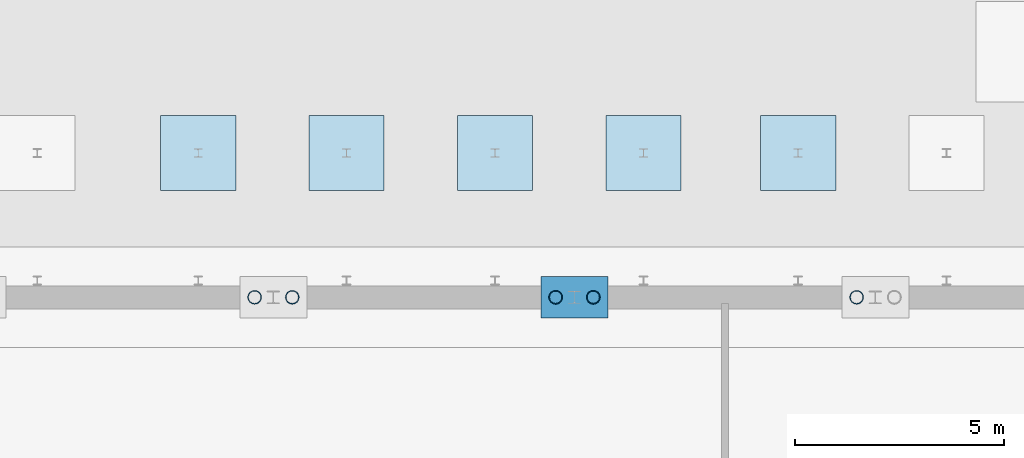
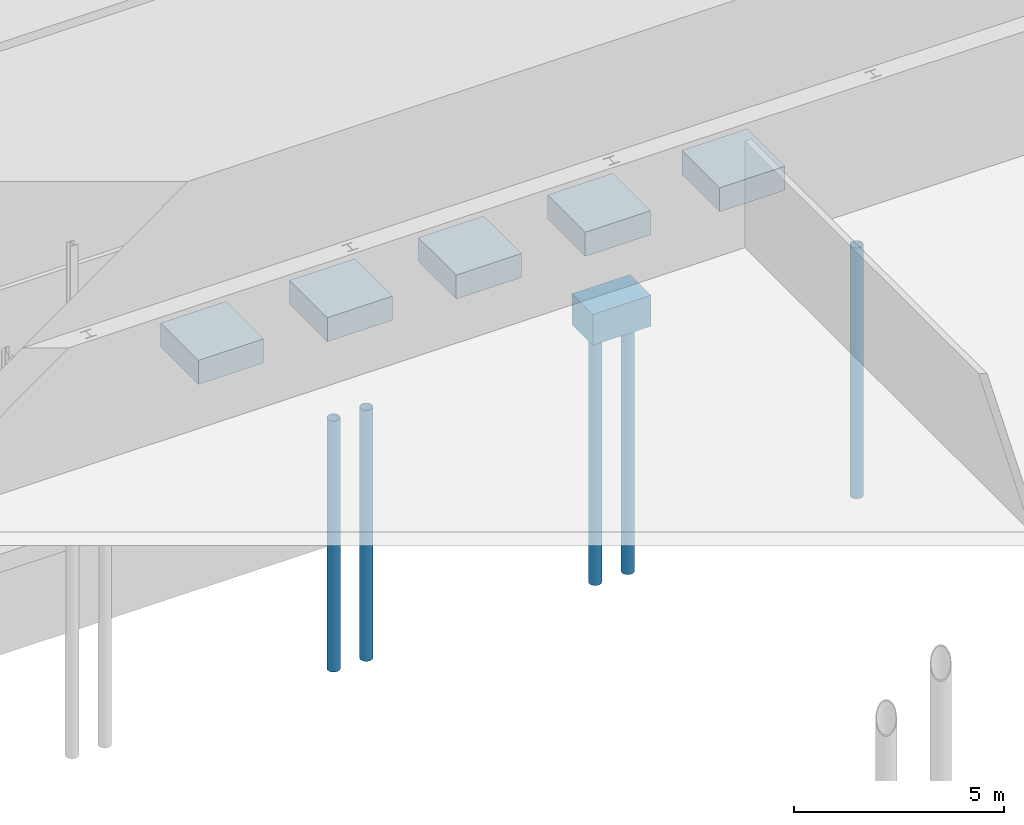
# One storey, part 33 of 148: 6 footings, 5 piles.
"""IFC4 building model written with IfcOpenShell, lengths in metres."""

from ifc_helpers import new_model, si_unit, direction, frame, origin, origin_2d, place, context, subcontext, project, spatial, rectangle, hollow_circle, extrude, material, layer, layer_set, material_profile, profile_set, type_object, element, save


model = new_model("IFC4")

# Units and contexts
model_context = context("Model", 3, precision=1e-05, world=origin(), true_north=direction((0.0, 1.0)))
body_context = subcontext(model_context, "Body", "Model", "MODEL_VIEW")
ifc_project = project(units=[si_unit("LENGTHUNIT", "METRE"), si_unit("AREAUNIT", "SQUARE_METRE"), si_unit("VOLUMEUNIT", "CUBIC_METRE"), si_unit("PLANEANGLEUNIT", "RADIAN"), si_unit("MASSUNIT", "GRAM", prefix="KILO")], contexts=[model_context])

# Site, building, storey
site_placement = place(None, origin())
site = spatial("IfcSite", under=ifc_project, at=site_placement, CompositionType="ELEMENT")
building_placement = place(site_placement, origin())
building = spatial("IfcBuilding", under=site, at=building_placement, Name="Kupolbacken Congress Centre", CompositionType="ELEMENT")
storey_placement = place(building_placement, origin())
storey = spatial("IfcBuildingStorey", under=building, at=storey_placement, Name="L00", CompositionType="ELEMENT", Elevation=0.0)

# Footings
ifc_material_1 = material(Name="Concrete C30/37", Category="concrete")
ifc_layer_1 = layer(ifc_material_1, 0.89990234375)
ifc_layer_set_1 = layer_set([ifc_layer_1], Name="Concrete C30/37")
footing_type_1 = type_object("IfcFootingType", Name="PC7 pile cap 1.60 x 1.00 x 0.90 m", PredefinedType="PILE_CAP", material=ifc_layer_set_1)
footing_placement = place(storey_placement, frame((180.0, 151.199951171875, -1.199951171875), z_axis=(0.0, 0.0, 1.0), x_axis=(1.0, 0.0, 0.0)))
element("IfcFooting", 1, at=footing_placement, inside=storey, type_object=footing_type_1, Name="S/fnd/C-B-B5N/cap", PredefinedType="PILE_CAP", context=body_context, shape_type="SweptSolid", body=[
    extrude(rectangle(XDim=1.60009765625, YDim=1.0, at=origin_2d()), origin(), (0.0, 0.0, 1.0), 0.89990234375),
])
ifc_material_2 = material(Name="Concrete C30/37", Category="concrete")
ifc_layer_2 = layer(ifc_material_2, 0.699951171875)
ifc_layer_set_2 = layer_set([ifc_layer_2], Name="Concrete C30/37")
footing_type_2 = type_object("IfcFootingType", Name="PD4 pad footing 1.80 x 1.80 x 0.70 m", PredefinedType="PAD_FOOTING", material=ifc_layer_set_2)
for number, where, z_axis, x_axis, name in (
    (2, (171.0, 154.64990234375, -1.0), (0.0, 0.0, 1.0), (1.0, 0.0, 0.0), "C/passage/B/padN05"),
    (3, (174.550048828125, 154.64990234375, -1.0), (0.0, 0.0, 1.0), (1.0, 0.0, 0.0), "C/passage/B/padN06"),
    (4, (178.10009765625, 154.64990234375, -1.0), (0.0, 0.0, 1.0), (1.0, 0.0, 0.0), "C/passage/B/padN07"),
    (5, (181.64990234375, 154.64990234375, -1.0), (0.0, 0.0, 1.0), (1.0, 0.0, 0.0), "C/passage/B/padN08"),
    (6, (185.35009765625, 154.64990234375, -1.0), (0.0, 0.0, 1.0), (1.0, 0.0, 0.0), "C/passage/B/padN09"),
):
    element("IfcFooting", number, at=place(storey_placement, frame(where, z_axis=z_axis, x_axis=x_axis)), inside=storey, type_object=footing_type_2, Name=name, PredefinedType="PAD_FOOTING", context=body_context, shape_type="SweptSolid", body=[
        extrude(rectangle(XDim=1.800048828125, YDim=1.800048828125, at=origin_2d()), origin(), (0.0, 0.0, 1.0), 0.699951171875),
    ])

# Piles
ifc_material_3 = material(Name="Steel S355", Category="steel")
ifc_material_profile = material_profile(ifc_material_3, hollow_circle(Radius=0.161865234375, WallThickness=0.012451171875, at=origin_2d()), Name="CHS 323.9 x 12.5")
ifc_profile_set = profile_set([ifc_material_profile], Name="Steel S355")
pile_type = type_object("IfcPileType", Name="PL1 steel tube pile CHS 323.9 x 12.5", PredefinedType="BORED", material=ifc_profile_set)
for number, where, z_axis, x_axis, name in (
    (7, (172.35009765625, 151.199951171875, -1.199951171875), (0.0, 0.0, -1.0), (1.0, 0.0, 0.0), "S/fnd/C-B-B4N/pile1"),
    (8, (173.25, 151.199951171875, -1.199951171875), (0.0, 0.0, -1.0), (1.0, 0.0, 0.0), "S/fnd/C-B-B4N/pile2"),
    (9, (179.550048828125, 151.199951171875, -1.199951171875), (0.0, 0.0, -1.0), (1.0, 0.0, 0.0), "S/fnd/C-B-B5N/pile1"),
    (10, (180.449951171875, 151.199951171875, -1.199951171875), (0.0, 0.0, -1.0), (1.0, 0.0, 0.0), "S/fnd/C-B-B5N/pile2"),
    (11, (186.75, 151.199951171875, -1.199951171875), (0.0, 0.0, -1.0), (1.0, 0.0, 0.0), "S/fnd/C-B-B6N/pile1"),
):
    element("IfcPile", number, at=place(storey_placement, frame(where, z_axis=z_axis, x_axis=x_axis)), inside=storey, type_object=pile_type, Name=name, PredefinedType="BORED", context=body_context, shape_type="SweptSolid", body=[
        extrude(hollow_circle(Radius=0.161865234375, WallThickness=0.012451171875, at=origin_2d()), origin(), (0.0, 0.0, 1.0), 7.300048828125),
    ])

save(model, "model.ifc")
